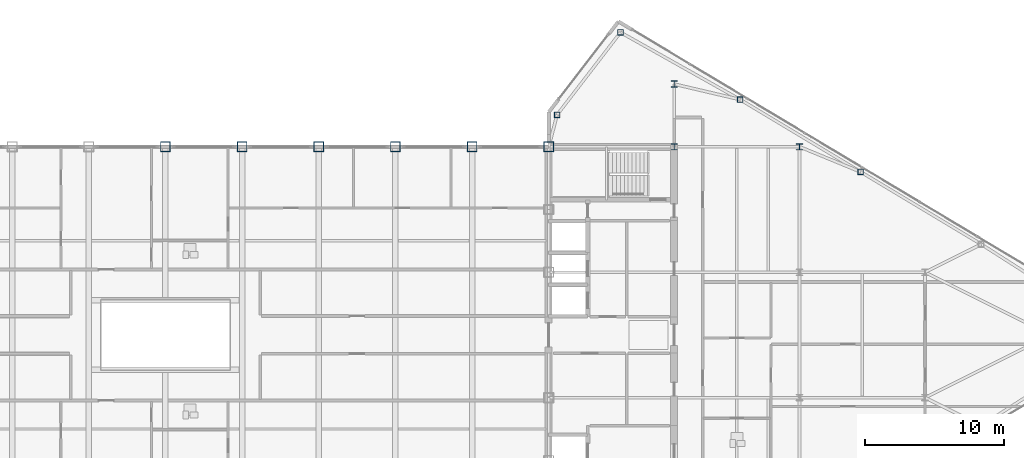
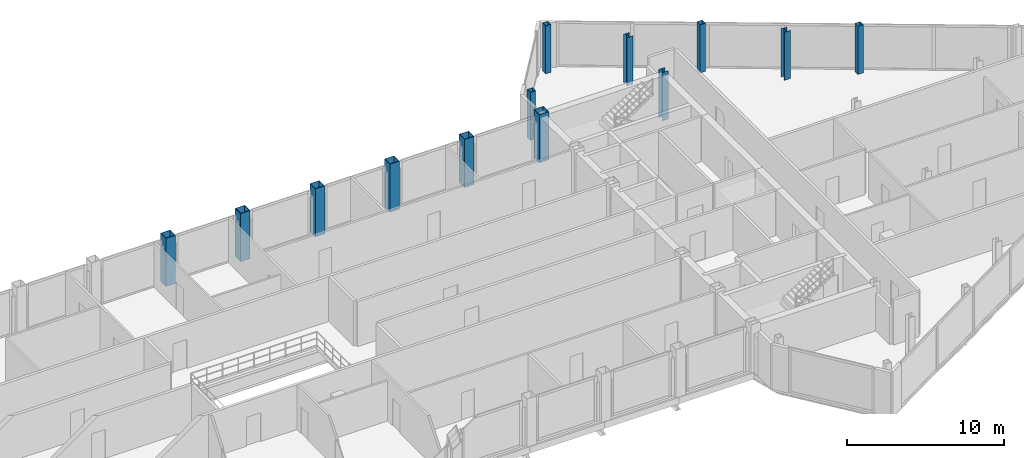
# One storey, part 6 of 28: 13 columns.
"""IFC4 building model written with IfcOpenShell, lengths in metres."""

from ifc_helpers import new_model, si_unit, direction, frame, origin, origin_2d, place, context, subcontext, project, spatial, hollow_rectangle, i_section, extrude, source, transform, mapped, material, material_profile, profile_set, type_object, type_shapes, element, save


model = new_model("IFC4")

# Units and contexts
model_context = context("Model", 3, precision=1e-05, world=origin(), true_north=direction((0.0, 1.0)))
body_context = subcontext(model_context, "Body", "Model", "MODEL_VIEW")
ifc_project = project(units=[si_unit("LENGTHUNIT", "METRE"), si_unit("AREAUNIT", "SQUARE_METRE"), si_unit("VOLUMEUNIT", "CUBIC_METRE"), si_unit("PLANEANGLEUNIT", "RADIAN"), si_unit("MASSUNIT", "GRAM", prefix="KILO")], contexts=[model_context])

# Site, building, storey
site_placement = place(None, origin())
site = spatial("IfcSite", under=ifc_project, at=site_placement, CompositionType="ELEMENT")
building_placement = place(site_placement, origin())
building = spatial("IfcBuilding", under=site, at=building_placement, Name="Seokmaru Belvedere", CompositionType="ELEMENT")
storey_placement = place(building_placement, frame((0.0, 0.0, 265.64990234375)))
storey = spatial("IfcBuildingStorey", under=building, at=storey_placement, Name="L70", CompositionType="ELEMENT", Elevation=265.64990234375)

# Columns
ifc_material = material(Name="Steel SM355 (355 MPa)", Category="steel")
ifc_material_profile_1 = material_profile(ifc_material, hollow_rectangle(XDim=0.699951171875, YDim=0.699951171875, WallThickness=0.030029296875, at=origin_2d()), Name="BOX-700x700x30")
ifc_profile_set_1 = profile_set([ifc_material_profile_1], Name="Steel SM355 (355 MPa)")
column_type_1 = type_object("IfcColumnType", Name="Upper Spine Column BOX-700", PredefinedType="COLUMN", material=ifc_profile_set_1)
shared_shape_1 = source(origin(), body_context, "Body", "SweptSolid", [
    extrude(hollow_rectangle(XDim=0.699951171875, YDim=0.699951171875, WallThickness=0.030029296875, at=origin_2d()), origin(), (0.0, 0.0, 1.0), 3.75),
])
type_shapes(column_type_1, [shared_shape_1])
for number, where, z_axis, x_axis, name in (
    (1, (27.5, 13.5, 0.0), (0.0, 0.0, 1.0), (1.0, 0.0, 0.0), "L70 Column ES6"),
    (2, (0.0, 13.5, 0.0), (0.0, 0.0, 1.0), (1.0, 0.0, 0.0), "L70 Column BRN_5"),
    (3, (5.5, 13.5, 0.0), (0.0, 0.0, 1.0), (1.0, 0.0, 0.0), "L70 Column BRN_6"),
    (4, (11.0, 13.5, 0.0), (0.0, 0.0, 1.0), (1.0, 0.0, 0.0), "L70 Column BRN_7"),
    (5, (16.5, 13.5, 0.0), (0.0, 0.0, 1.0), (1.0, 0.0, 0.0), "L70 Column BRN_8"),
    (6, (22.0, 13.5, 0.0), (0.0, 0.0, 1.0), (1.0, 0.0, 0.0), "L70 Column BRN_9"),
):
    element("IfcColumn", number, at=place(storey_placement, frame(where, z_axis=z_axis, x_axis=x_axis)), inside=storey, type_object=column_type_1, Name=name, PredefinedType="COLUMN", context=body_context, shape_type="MappedRepresentation", body=[
        mapped(shared_shape_1, transform((0.0, 0.0, 0.0), scale=1.0)),
    ])
ifc_material_profile_2 = material_profile(ifc_material, i_section(OverallWidth=0.449951171875, OverallDepth=0.449951171875, WebThickness=0.01611328125, FlangeThickness=0.02490234375, at=origin_2d()), Name="H-450x450x16x25")
ifc_profile_set_2 = profile_set([ifc_material_profile_2], Name="Steel SM355 (355 MPa)")
column_type_2 = type_object("IfcColumnType", Name="Sky-Gate Column H-450", PredefinedType="COLUMN", material=ifc_profile_set_2)
shared_shape_2 = source(origin(), body_context, "Body", "SweptSolid", [
    extrude(i_section(OverallWidth=0.449951171875, OverallDepth=0.449951171875, WebThickness=0.01611328125, FlangeThickness=0.02490234375, at=origin_2d()), origin(), (0.0, 0.0, 1.0), 3.75),
])
type_shapes(column_type_2, [shared_shape_2])
for number, where, z_axis, x_axis, name in (
    (7, (36.5, 13.5, 0.0), (0.0, 0.0, 1.0), (1.0, 0.0, 0.0), "L70 Column EC3"),
    (8, (36.5, 18.0, 0.0), (0.0, 0.0, 1.0), (1.0, 0.0, 0.0), "L70 Column EC4"),
    (9, (45.5, 13.5, 0.0), (0.0, 0.0, 1.0), (1.0, 0.0, 0.0), "L70 Column EG5_4"),
):
    element("IfcColumn", number, at=place(storey_placement, frame(where, z_axis=z_axis, x_axis=x_axis)), inside=storey, type_object=column_type_2, Name=name, PredefinedType="COLUMN", context=body_context, shape_type="MappedRepresentation", body=[
        mapped(shared_shape_2, transform((0.0, 0.0, 0.0), scale=1.0)),
    ])
ifc_material_profile_3 = material_profile(ifc_material, hollow_rectangle(XDim=0.39990234375, YDim=0.39990234375, WallThickness=0.01611328125, at=origin_2d()), Name="HSS-400x400x16")
ifc_profile_set_3 = profile_set([ifc_material_profile_3], Name="Steel SM355 (355 MPa)")
column_type_3 = type_object("IfcColumnType", Name="Perimeter Facet Column HSS-400", PredefinedType="COLUMN", material=ifc_profile_set_3)
shared_shape_3 = source(origin(), body_context, "Body", "SweptSolid", [
    extrude(hollow_rectangle(XDim=0.39990234375, YDim=0.39990234375, WallThickness=0.01611328125, at=origin_2d()), origin(), (0.0, 0.0, 1.0), 3.75),
])
type_shapes(column_type_3, [shared_shape_3])
for number, where, z_axis, x_axis, name in (
    (10, (32.649658203125, 21.71044921875, 0.0), (0.0, 0.0, 1.0), (1.0, 0.0, 0.0), "L70 Column EF4"),
    (11, (28.10009765625, 15.7958984375, 0.0), (0.0, 0.0, 1.0), (1.0, 0.0, 0.0), "L70 Column EF5"),
    (12, (41.229736328125, 16.888916015625, 0.0), (0.0, 0.0, 1.0), (1.0, 0.0, 0.0), "L70 Column EFLK_N1"),
    (13, (49.8798828125, 11.698974609375, 0.0), (0.0, 0.0, 1.0), (1.0, 0.0, 0.0), "L70 Column EFLK_N2"),
):
    element("IfcColumn", number, at=place(storey_placement, frame(where, z_axis=z_axis, x_axis=x_axis)), inside=storey, type_object=column_type_3, Name=name, PredefinedType="COLUMN", context=body_context, shape_type="MappedRepresentation", body=[
        mapped(shared_shape_3, transform((0.0, 0.0, 0.0), scale=1.0)),
    ])

save(model, "model.ifc")
